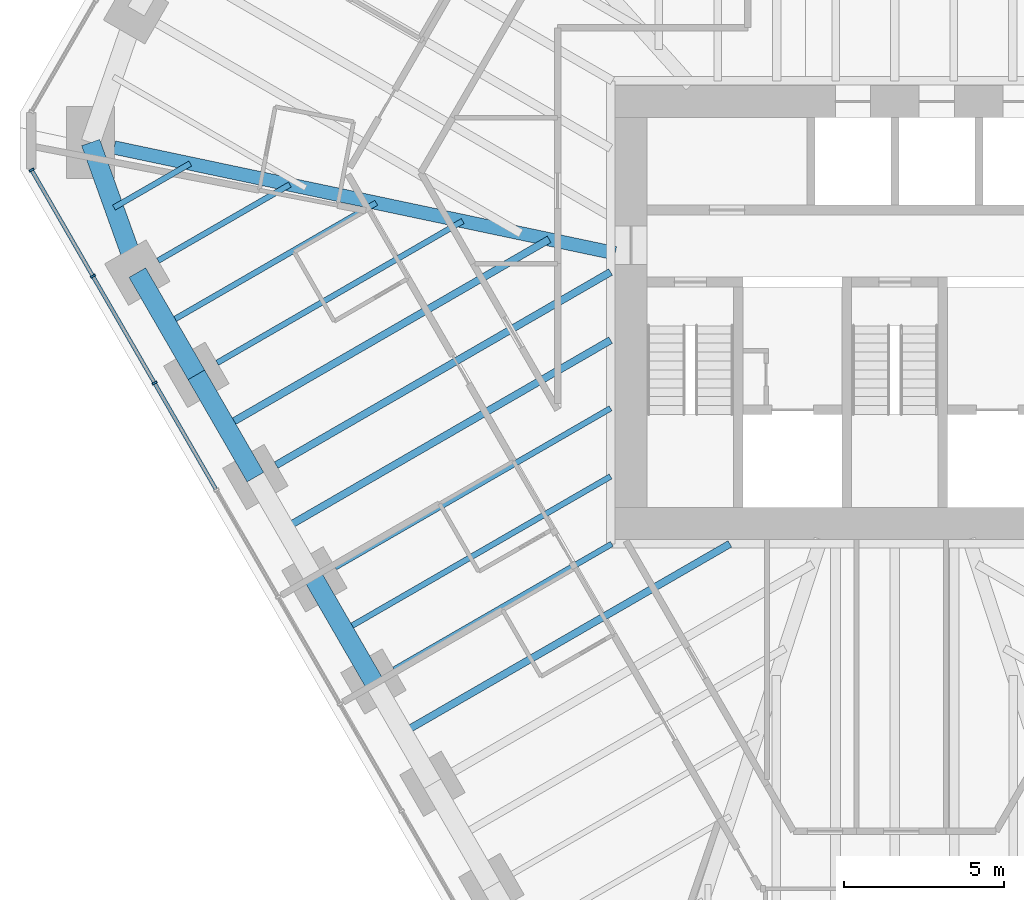
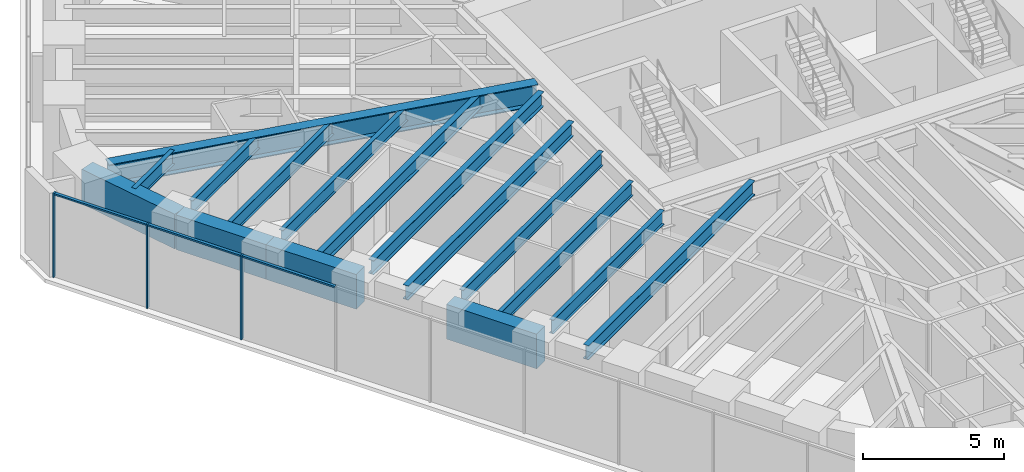
# One storey, part 3 of 16: 16 beams, 6 members, 1 element without a shape of its own.
"""IFC4 building model written with IfcOpenShell, lengths in metres."""

import ifcopenshell
import ifcopenshell.guid

model = None  # the IFC model being written
_history = None  # IfcOwnerHistory: only IFC2X3 demands one
_inside = {}  # id of a spatial element -> (the spatial element, [elements in it])
_under = {}  # id of a project, library or spatial element -> (it, [spatial elements below it])
_declared = {}  # id of a project -> (the project, [libraries it declares])
_typed = {}  # id of a type object -> (the type object, [elements of that type])
_made_of = {}  # id of a material, layer set ... -> (it, [elements and type objects made of it])


def new_model(schema):
    """Start an empty IFC model of exactly this schema.

    Asked for "IFC4X3", IfcOpenShell would pick the latest addendum, in which some entities
    have other attributes; the version numbers below select the first issue.
    IFC2X3 requires an IfcOwnerHistory on every rooted entity: one is made here for all.
    """
    global model, _history
    if schema == "IFC4X3":
        model = ifcopenshell.file(schema_version=(4, 3, 0, 0))
    else:
        model = ifcopenshell.file(schema=schema)
    _inside.clear()
    _under.clear()
    _declared.clear()
    _typed.clear()
    _made_of.clear()
    _history = None
    if model.schema == "IFC2X3":
        org = make("IfcOrganization", Name="unknown")
        user = make(
            "IfcPersonAndOrganization",
            ThePerson=make("IfcPerson", FamilyName="unknown"),
            TheOrganization=org,
        )
        app = make(
            "IfcApplication",
            ApplicationDeveloper=org,
            Version="unknown",
            ApplicationFullName="unknown",
            ApplicationIdentifier="unknown",
        )
        _history = make(
            "IfcOwnerHistory",
            OwningUser=user,
            OwningApplication=app,
            ChangeAction="ADDED",
            CreationDate=0,
        )
    return model


def make(cls, **values):
    """One entity of the class cls with the attributes given. An attribute that is None is left unset."""
    return model.create_entity(
        cls, **{name: value for name, value in values.items() if value is not None}
    )


def rooted(cls, **values):
    """An entity with a GlobalId (a new one), such as an element, a storey or a relation."""
    return make(cls, GlobalId=ifcopenshell.guid.new(), OwnerHistory=_history, **values)


def si_unit(unit_type, name, prefix=None):
    """IfcSIUnit, for example si_unit("LENGTHUNIT", "METRE", prefix="MILLI")."""
    return make("IfcSIUnit", UnitType=unit_type, Prefix=prefix, Name=name)


def assignment(units):
    """IfcUnitAssignment: the units of a project."""
    return None if units is None else make("IfcUnitAssignment", Units=units)


def point(xyz):
    """IfcCartesianPoint."""
    return None if xyz is None else make("IfcCartesianPoint", Coordinates=xyz)


def direction(xyz):
    """IfcDirection."""
    return None if xyz is None else make("IfcDirection", DirectionRatios=xyz)


def frame(location, z_axis=None, x_axis=None):
    """IfcAxis2Placement3D, a coordinate frame: its origin and axes. An axis left out is left unset."""
    return make(
        "IfcAxis2Placement3D",
        Location=point(location),
        Axis=direction(z_axis),
        RefDirection=direction(x_axis),
    )


def frame_2d(location, x_axis=None):
    """IfcAxis2Placement2D, a coordinate frame in the plane: its origin and x axis."""
    return make(
        "IfcAxis2Placement2D", Location=point(location), RefDirection=direction(x_axis)
    )


def origin():
    """The frame at (0, 0, 0) with its axes left unset."""
    return frame((0.0, 0.0, 0.0))


def origin_2d():
    """The frame at (0, 0) in the plane with its x axis left unset."""
    return frame_2d((0.0, 0.0))


def place(relative_to, where):
    """IfcLocalPlacement: puts the frame where relative to a parent placement (None: the world)."""
    return make(
        "IfcLocalPlacement", PlacementRelTo=relative_to, RelativePlacement=where
    )


def context(
    kind, dimensions, precision=None, world=None, true_north=None, identifier=None
):
    """IfcGeometricRepresentationContext, for example the 3D "Model" context."""
    return make(
        "IfcGeometricRepresentationContext",
        ContextIdentifier=identifier,
        ContextType=kind,
        CoordinateSpaceDimension=dimensions,
        Precision=precision,
        WorldCoordinateSystem=world,
        TrueNorth=true_north,
    )


def subcontext(parent, identifier, kind, view, scale=None):
    """IfcGeometricRepresentationSubContext, for example "Body" below "Model"."""
    return make(
        "IfcGeometricRepresentationSubContext",
        ContextIdentifier=identifier,
        ContextType=kind,
        ParentContext=parent,
        TargetScale=scale,
        TargetView=view,
    )


def project(units=None, contexts=None):
    """IfcProject with its units and contexts."""
    return rooted(
        "IfcProject",
        Name="project",
        RepresentationContexts=contexts,
        UnitsInContext=assignment(units),
    )


def spatial(cls, under=None, at=None, **own):
    """A site, building, storey or space (cls), placed at a placement, below another one or the project."""
    s = rooted(cls, ObjectPlacement=at, **own)
    if under is not None:
        _under.setdefault(under.id(), (under, []))[1].append(s)
    return s


def profile(cls, at=None, kind="AREA", **sizes):
    """A parametric profile (cls). Its sizes go by their IFC names, for example OverallWidth=200.0."""
    return make(cls, ProfileType=kind, Position=at, **sizes)


def rectangle(**sizes):
    """IfcRectangleProfileDef."""
    return profile("IfcRectangleProfileDef", **sizes)


def i_section(**sizes):
    """IfcIShapeProfileDef."""
    return profile("IfcIShapeProfileDef", **sizes)


def extrude(swept, where, along, depth):
    """IfcExtrudedAreaSolid: the profile swept, set in the frame where, extruded along a direction by depth."""
    return make(
        "IfcExtrudedAreaSolid",
        SweptArea=swept,
        Position=where,
        ExtrudedDirection=direction(along),
        Depth=depth,
    )


def shape(context_of_items, identifier, shape_type, items):
    """IfcShapeRepresentation: the items that make up one representation, for example the "Body"."""
    return make(
        "IfcShapeRepresentation",
        ContextOfItems=context_of_items,
        RepresentationIdentifier=identifier,
        RepresentationType=shape_type,
        Items=items,
    )


def material(Name=None, Category=None):
    """IfcMaterial."""
    return make("IfcMaterial", Name=Name, Category=Category)


def material_profile(
    of_material, cross_section, Name=None, Category=None, Priority=None
):
    """IfcMaterialProfile: a cross section and its material."""
    return make(
        "IfcMaterialProfile",
        Name=Name,
        Material=of_material,
        Profile=cross_section,
        Priority=Priority,
        Category=Category,
    )


def profile_set(profiles, Name=None, composite=None):
    """IfcMaterialProfileSet."""
    return make(
        "IfcMaterialProfileSet",
        Name=Name,
        MaterialProfiles=profiles,
        CompositeProfile=composite,
    )


def made_of(thing, what):
    """Note that an element or type object is made of a material, layer set ...; save() writes the relation."""
    if what is not None:
        _made_of.setdefault(what.id(), (what, []))[1].append(thing)
    return thing


def type_object(cls, material=None, **own):
    """A type object (cls), such as IfcWallType, which elements share."""
    return made_of(rooted(cls, **own), material)


def element(
    cls,
    number,
    at=None,
    inside=None,
    cuts=None,
    type_object=None,
    material=None,
    context=None,
    identifier="Body",
    shape_type=None,
    held_by="IfcProductDefinitionShape",
    body=None,
    shapes=None,
    **own,
):
    """One element of the class cls, such as IfcWall. Its Tag is "e" and its number.

    at: its placement. inside: the storey or other place that contains it. cuts: it is an
    opening in that element (IfcRelVoidsElement). A single representation is given by context,
    identifier, shape_type and body (its items); several are given by shapes. held_by: the class
    of the entity that holds the representations. save() writes the other relations.
    """
    e = rooted(cls, Tag="e%d" % number, ObjectPlacement=at, **own)
    if body is not None:
        shapes = [shape(context, identifier, shape_type, body)]
    if shapes is not None:
        e.Representation = make(held_by, Representations=shapes)
    if inside is not None:
        _inside.setdefault(inside.id(), (inside, []))[1].append(e)
    if cuts is not None:
        rooted(
            "IfcRelVoidsElement", RelatingBuildingElement=cuts, RelatedOpeningElement=e
        )
    if type_object is not None:
        _typed.setdefault(type_object.id(), (type_object, []))[1].append(e)
    return made_of(e, material)


def aggregate(whole, parts):
    """IfcRelAggregates: a whole, such as a stair, and the parts it consists of."""
    return rooted("IfcRelAggregates", RelatingObject=whole, RelatedObjects=parts)


def save(model, path):
    """Write the relations noted so far, then the file.

    IfcRelAggregates (storeys below a building ...), IfcRelContainedInSpatialStructure (elements
    in a storey), IfcRelDefinesByType, IfcRelAssociatesMaterial and IfcRelDeclares: one each for
    every whole, place, type object, material and project.
    """
    for whole, parts in _under.values():
        aggregate(whole, parts)
    for where, things in _inside.values():
        rooted(
            "IfcRelContainedInSpatialStructure",
            RelatedElements=things,
            RelatingStructure=where,
        )
    for kind, things in _typed.values():
        rooted("IfcRelDefinesByType", RelatedObjects=things, RelatingType=kind)
    for what, things in _made_of.values():
        rooted("IfcRelAssociatesMaterial", RelatedObjects=things, RelatingMaterial=what)
    for by, libraries in _declared.values():
        rooted("IfcRelDeclares", RelatingContext=by, RelatedDefinitions=libraries)
    model.write(path)


model = new_model("IFC4")

# Units and contexts
model_context = context("Model", 3, precision=1e-05, world=origin(), true_north=direction((0.0, 1.0)))
body_context = subcontext(model_context, "Body", "Model", "MODEL_VIEW")
ifc_project = project(units=[si_unit("LENGTHUNIT", "METRE"), si_unit("AREAUNIT", "SQUARE_METRE"), si_unit("VOLUMEUNIT", "CUBIC_METRE"), si_unit("PLANEANGLEUNIT", "RADIAN"), si_unit("MASSUNIT", "GRAM", prefix="KILO")], contexts=[model_context])

# Site, building, storey
site_placement = place(None, origin())
site = spatial("IfcSite", under=ifc_project, at=site_placement, CompositionType="ELEMENT")
building_placement = place(site_placement, origin())
building = spatial("IfcBuilding", under=site, at=building_placement, Name="Sandreach Pilgrim Tower", CompositionType="ELEMENT")
storey_placement = place(building_placement, frame((0.0, 0.0, 190.800048828125)))
storey = spatial("IfcBuildingStorey", under=building, at=storey_placement, Name="L47", CompositionType="ELEMENT", Elevation=190.800048828125)

# Curtain wall, members
ifc_material_1 = material(Name="Aluminium framed curtain wall", Category="aluminium")
curtain_wall_type = type_object("IfcCurtainWallType", Name="Upper hotel tower curtain wall", PredefinedType="NOTDEFINED", material=ifc_material_1)
curtain_wall_placement = place(storey_placement, origin())
curtain_wall = element("IfcCurtainWall", 1, at=curtain_wall_placement, inside=storey, type_object=curtain_wall_type, Name="CW-3 L47 SW", PredefinedType="NOTDEFINED")
ifc_material_2 = material(Name="Aluminium extrusion", Category="aluminium")
ifc_material_profile_1 = material_profile(ifc_material_2, rectangle(XDim=0.06494140625, YDim=0.159912109375, at=origin_2d()), Name="CW-3M 65X160")
ifc_profile_set_1 = profile_set([ifc_material_profile_1], Name="Aluminium extrusion")
member_type_1 = type_object("IfcMemberType", Name="CW-3 mullion", PredefinedType="MULLION", material=ifc_profile_set_1)
member_1_placement = place(storey_placement, frame((-23.15576171875, -2.21337890625, 0.0), z_axis=(0.0, 0.0, 1.0), x_axis=(-0.5, 0.866025403784, 0.0)))
member_1 = element("IfcMember", 2, at=member_1_placement, type_object=member_type_1, Name="CW-3 mullion 8", PredefinedType="MULLION", context=body_context, shape_type="SweptSolid", body=[
    extrude(rectangle(XDim=0.06494140625, YDim=0.159912109375, at=origin_2d()), origin(), (0.0, 0.0, 1.0), 3.639892578125),
])
member_2_placement = place(storey_placement, frame((-25.087890625, 1.13330078125, 0.0), z_axis=(0.0, 0.0, 1.0), x_axis=(-0.5, 0.866025403784, 0.0)))
member_2 = element("IfcMember", 3, at=member_2_placement, type_object=member_type_1, Name="CW-3 mullion 9", PredefinedType="MULLION", context=body_context, shape_type="SweptSolid", body=[
    extrude(rectangle(XDim=0.06494140625, YDim=0.159912109375, at=origin_2d()), origin(), (0.0, 0.0, 1.0), 3.639892578125),
])
member_3_placement = place(storey_placement, frame((-27.00390625, 4.451904296875, 0.0), z_axis=(0.0, 0.0, 1.0), x_axis=(-0.5, 0.866025403784, 0.0)))
member_3 = element("IfcMember", 4, at=member_3_placement, type_object=member_type_1, Name="CW-3 mullion 10", PredefinedType="MULLION", context=body_context, shape_type="SweptSolid", body=[
    extrude(rectangle(XDim=0.06494140625, YDim=0.159912109375, at=origin_2d()), origin(), (0.0, 0.0, 1.0), 3.639892578125),
])
ifc_material_3 = material(Name="Aluminium extrusion", Category="aluminium")
ifc_material_profile_2 = material_profile(ifc_material_3, rectangle(XDim=0.1201171875, YDim=0.070068359375, at=origin_2d()), Name="CW-3T 120X70")
ifc_profile_set_2 = profile_set([ifc_material_profile_2], Name="Aluminium extrusion")
member_type_2 = type_object("IfcMemberType", Name="CW-3 transom", PredefinedType="USERDEFINED", material=ifc_profile_set_2)
member_4_placement = place(storey_placement, frame((-21.23974609375, -5.531982421875, 3.60498046875), z_axis=(-0.499974606132, 0.866040064445, 0.0), x_axis=(-0.866040064445, -0.499974606132, 0.0)))
member_4 = element("IfcMember", 5, at=member_4_placement, type_object=member_type_2, Name="CW-3 head transom 7", ObjectType="TRANSOM", PredefinedType="USERDEFINED", context=body_context, shape_type="SweptSolid", body=[
    extrude(rectangle(XDim=0.1201171875, YDim=0.070068359375, at=origin_2d()), origin(), (0.0, 0.0, 1.0), 3.799560546875),
])
member_5_placement = place(storey_placement, frame((-23.171875, -2.185302734375, 3.60498046875), z_axis=(-0.500022797313, 0.86601224135, 0.0), x_axis=(-0.86601224135, -0.500022797313, 0.0)))
member_5 = element("IfcMember", 6, at=member_5_placement, type_object=member_type_2, Name="CW-3 head transom 8", ObjectType="TRANSOM", PredefinedType="USERDEFINED", context=body_context, shape_type="SweptSolid", body=[
    extrude(rectangle(XDim=0.1201171875, YDim=0.070068359375, at=origin_2d()), origin(), (0.0, 0.0, 1.0), 3.799560546875),
])
member_6_placement = place(storey_placement, frame((-25.104248046875, 1.161376953125, 3.60498046875), z_axis=(-0.499944992379, 0.86605716012, 0.0), x_axis=(-0.86605716012, -0.499944992379, 0.0)))
member_6 = element("IfcMember", 7, at=member_6_placement, type_object=member_type_2, Name="CW-3 head transom 9", ObjectType="TRANSOM", PredefinedType="USERDEFINED", context=body_context, shape_type="SweptSolid", body=[
    extrude(rectangle(XDim=0.1201171875, YDim=0.070068359375, at=origin_2d()), origin(), (0.0, 0.0, 1.0), 3.76708984375),
])
aggregate(curtain_wall, [member_1, member_2, member_3, member_4, member_5, member_6])

# Beams
ifc_material_4 = material(Name="Steel ASTM A992 Grade 50", Category="steel")
ifc_material_profile_3 = material_profile(ifc_material_4, i_section(OverallWidth=0.421630859375, OverallDepth=0.937255859375, WebThickness=0.0224609375, FlangeThickness=0.039794921875, at=origin_2d()), Name="W36X282")
ifc_profile_set_3 = profile_set([ifc_material_profile_3], Name="Steel ASTM A992 Grade 50")
beam_type_1 = type_object("IfcBeamType", Name="Corner girder W36X282", PredefinedType="BEAM", material=ifc_profile_set_3)
beam_1_placement = place(storey_placement, frame((-24.422607421875, 5.156494140625, 3.17138671875), z_axis=(0.978428978804, -0.206583478132, 0.0), x_axis=(0.206583478132, 0.978428978804, 0.0)))
element("IfcBeam", 8, at=beam_1_placement, inside=storey, type_object=beam_type_1, Name="BM L47 CG35", PredefinedType="BEAM", context=body_context, shape_type="SweptSolid", body=[
    extrude(i_section(OverallWidth=0.421630859375, OverallDepth=0.937255859375, WebThickness=0.0224609375, FlangeThickness=0.039794921875, at=origin_2d()), origin(), (0.0, 0.0, 1.0), 16.01806640625),
])
ifc_material_5 = material(Name="Steel ASTM A992 Grade 50", Category="steel")
ifc_material_profile_4 = material_profile(ifc_material_5, i_section(OverallWidth=0.1787109375, OverallDepth=0.60205078125, WebThickness=0.010986328125, FlangeThickness=0.014892578125, at=origin_2d()), Name="W24X62")
ifc_profile_set_4 = profile_set([ifc_material_profile_4], Name="Steel ASTM A992 Grade 50")
beam_type_2 = type_object("IfcBeamType", Name="Floor beam W24X62", PredefinedType="BEAM", material=ifc_profile_set_4)
beam_2_placement = place(storey_placement, frame((-15.661376953125, -11.173828125, 3.3388671875), z_axis=(0.866038711524, 0.49997694961, 0.0), x_axis=(-0.49997694961, 0.866038711524, 0.0)))
element("IfcBeam", 9, at=beam_2_placement, inside=storey, type_object=beam_type_2, Name="BM L47 F30", PredefinedType="BEAM", context=body_context, shape_type="SweptSolid", body=[
    extrude(i_section(OverallWidth=0.1787109375, OverallDepth=0.60205078125, WebThickness=0.010986328125, FlangeThickness=0.014892578125, at=origin_2d()), origin(), (0.0, 0.0, 1.0), 7.861083984375),
])
beam_3_placement = place(storey_placement, frame((-17.507568359375, -7.97607421875, 3.3388671875), z_axis=(0.866027815265, 0.499995823171, 0.0), x_axis=(-0.499995823171, 0.866027815265, 0.0)))
element("IfcBeam", 10, at=beam_3_placement, inside=storey, type_object=beam_type_2, Name="BM L47 F31", PredefinedType="BEAM", context=body_context, shape_type="SweptSolid", body=[
    extrude(i_section(OverallWidth=0.1787109375, OverallDepth=0.60205078125, WebThickness=0.010986328125, FlangeThickness=0.014892578125, at=origin_2d()), origin(), (0.0, 0.0, 1.0), 9.94677734375),
])
beam_4_placement = place(storey_placement, frame((-21.2001953125, -1.58056640625, 3.3388671875), z_axis=(0.866027448082, 0.499996459156, 0.0), x_axis=(-0.499996459156, 0.866027448082, 0.0)))
element("IfcBeam", 11, at=beam_4_placement, inside=storey, type_object=beam_type_2, Name="BM L47 F33", PredefinedType="BEAM", context=body_context, shape_type="SweptSolid", body=[
    extrude(i_section(OverallWidth=0.1787109375, OverallDepth=0.60205078125, WebThickness=0.010986328125, FlangeThickness=0.014892578125, at=origin_2d()), origin(), (0.0, 0.0, 1.0), 8.86962890625),
])
beam_5_placement = place(storey_placement, frame((-23.04638671875, 1.6171875, 3.3388671875), z_axis=(0.86603347311, 0.499986023258, 0.0), x_axis=(-0.499986023258, 0.86603347311, 0.0)))
element("IfcBeam", 12, at=beam_5_placement, inside=storey, type_object=beam_type_2, Name="BM L47 F34", PredefinedType="BEAM", context=body_context, shape_type="SweptSolid", body=[
    extrude(i_section(OverallWidth=0.1787109375, OverallDepth=0.60205078125, WebThickness=0.010986328125, FlangeThickness=0.014892578125, at=origin_2d()), origin(), (0.0, 0.0, 1.0), 4.757568359375),
])
beam_6_placement = place(storey_placement, frame((-17.23388671875, -9.949951171875, 3.3388671875), z_axis=(0.866025593094, 0.499999672107, 0.0), x_axis=(-0.499999672107, 0.866025593094, 0.0)))
element("IfcBeam", 13, at=beam_6_placement, inside=storey, type_object=beam_type_2, Name="BM L47 FM30", PredefinedType="BEAM", context=body_context, shape_type="SweptSolid", body=[
    extrude(i_section(OverallWidth=0.1787109375, OverallDepth=0.60205078125, WebThickness=0.010986328125, FlangeThickness=0.014892578125, at=origin_2d()), origin(), (0.0, 0.0, 1.0), 9.630859375),
])
beam_7_placement = place(storey_placement, frame((-22.772705078125, -0.356689453125, 3.3388671875), z_axis=(0.866029704776, 0.49999255039, 0.0), x_axis=(-0.49999255039, 0.866029704776, 0.0)))
element("IfcBeam", 14, at=beam_7_placement, inside=storey, type_object=beam_type_2, Name="BM L47 FM33", PredefinedType="BEAM", context=body_context, shape_type="SweptSolid", body=[
    extrude(i_section(OverallWidth=0.1787109375, OverallDepth=0.60205078125, WebThickness=0.010986328125, FlangeThickness=0.014892578125, at=origin_2d()), origin(), (0.0, 0.0, 1.0), 7.5634765625),
])
beam_8_placement = place(storey_placement, frame((-24.42626953125, 3.27685546875, 3.3388671875), z_axis=(0.866046803606, 0.49996293259, 0.0), x_axis=(-0.49996293259, 0.866046803606, 0.0)))
element("IfcBeam", 15, at=beam_8_placement, inside=storey, type_object=beam_type_2, Name="BM L47 FM34", PredefinedType="BEAM", context=body_context, shape_type="SweptSolid", body=[
    extrude(i_section(OverallWidth=0.1787109375, OverallDepth=0.60205078125, WebThickness=0.010986328125, FlangeThickness=0.014892578125, at=origin_2d()), origin(), (0.0, 0.0, 1.0), 2.753662109375),
])
ifc_material_6 = material(Name="Steel ASTM A992 Grade 50", Category="steel")
ifc_material_profile_5 = material_profile(ifc_material_6, i_section(OverallWidth=0.23046875, OverallDepth=0.6171875, WebThickness=0.01318359375, FlangeThickness=0.022216796875, at=origin_2d()), Name="W24X94")
ifc_profile_set_5 = profile_set([ifc_material_profile_5], Name="Steel ASTM A992 Grade 50")
beam_type_3 = type_object("IfcBeamType", Name="Floor beam W24X94", PredefinedType="BEAM", material=ifc_profile_set_5)
beam_9_placement = place(storey_placement, frame((-19.353759765625, -4.7783203125, 3.331298828125), z_axis=(0.866026713419, 0.49999773164, 0.0), x_axis=(-0.49999773164, 0.866026713419, 0.0)))
element("IfcBeam", 16, at=beam_9_placement, inside=storey, type_object=beam_type_3, Name="BM L47 F32", PredefinedType="BEAM", context=body_context, shape_type="SweptSolid", body=[
    extrude(i_section(OverallWidth=0.23046875, OverallDepth=0.6171875, WebThickness=0.01318359375, FlangeThickness=0.022216796875, at=origin_2d()), origin(), (0.0, 0.0, 1.0), 12.07861328125),
])
beam_10_placement = place(storey_placement, frame((-15.3876953125, -13.14794921875, 3.331298828125), z_axis=(0.866022050506, 0.500005808004, 0.0), x_axis=(-0.500005808004, 0.866022050506, 0.0)))
element("IfcBeam", 17, at=beam_10_placement, inside=storey, type_object=beam_type_3, Name="BM L47 FM29", PredefinedType="BEAM", context=body_context, shape_type="SweptSolid", body=[
    extrude(i_section(OverallWidth=0.23046875, OverallDepth=0.6171875, WebThickness=0.01318359375, FlangeThickness=0.022216796875, at=origin_2d()), origin(), (0.0, 0.0, 1.0), 11.808837890625),
])
beam_11_placement = place(storey_placement, frame((-19.080322265625, -6.752197265625, 3.331298828125), z_axis=(0.866030053141, 0.499991946992, 0.0), x_axis=(-0.499991946992, 0.866030053141, 0.0)))
element("IfcBeam", 18, at=beam_11_placement, inside=storey, type_object=beam_type_3, Name="BM L47 FM31", PredefinedType="BEAM", context=body_context, shape_type="SweptSolid", body=[
    extrude(i_section(OverallWidth=0.23046875, OverallDepth=0.6171875, WebThickness=0.01318359375, FlangeThickness=0.022216796875, at=origin_2d()), origin(), (0.0, 0.0, 1.0), 11.762939453125),
])
beam_12_placement = place(storey_placement, frame((-20.926513671875, -3.554443359375, 3.331298828125), z_axis=(0.866026454974, 0.499998179282, 0.0), x_axis=(-0.499998179282, 0.866026454974, 0.0)))
element("IfcBeam", 19, at=beam_12_placement, inside=storey, type_object=beam_type_3, Name="BM L47 FM32", PredefinedType="BEAM", context=body_context, shape_type="SweptSolid", body=[
    extrude(i_section(OverallWidth=0.23046875, OverallDepth=0.6171875, WebThickness=0.01318359375, FlangeThickness=0.022216796875, at=origin_2d()), origin(), (0.0, 0.0, 1.0), 11.67578125),
])
ifc_material_7 = material(Name="Concrete 10000 psi", Category="concrete")
ifc_material_profile_6 = material_profile(ifc_material_7, rectangle(XDim=0.60009765625, YDim=1.5, at=origin_2d()), Name="RC600X1500")
ifc_profile_set_6 = profile_set([ifc_material_profile_6], Name="Concrete 10000 psi")
beam_type_4 = type_object("IfcBeamType", Name="Spandrel beam RC600X1500", PredefinedType="SPANDREL", material=ifc_profile_set_6)
beam_13_placement = place(storey_placement, frame((-16.310791015625, -11.548828125, 2.889892578125), z_axis=(-0.500042951019, 0.866000604582, 0.0), x_axis=(-0.866000604582, -0.500042951019, 0.0)))
element("IfcBeam", 20, at=beam_13_placement, inside=storey, type_object=beam_type_4, Name="BM L47 SP30", PredefinedType="SPANDREL", context=body_context, shape_type="SweptSolid", body=[
    extrude(rectangle(XDim=0.60009765625, YDim=1.5, at=origin_2d()), origin(), (0.0, 0.0, 1.0), 3.692626953125),
])
for number, where, z_axis, x_axis, name in (
    (21, (-20.00341796875, -5.1533203125, 2.889892578125), (-0.499993363642, 0.866029235253, 0.0), (-0.866029235253, -0.499993363642, 0.0), "BM L47 SP32"),
    (22, (-21.849609375, -1.95556640625, 2.889892578125), (-0.499993363642, 0.866029235253, 0.0), (-0.866029235253, -0.499993363642, 0.0), "BM L47 SP33"),
):
    element("IfcBeam", number, at=place(storey_placement, frame(where, z_axis=z_axis, x_axis=x_axis)), inside=storey, type_object=beam_type_4, Name=name, PredefinedType="SPANDREL", context=body_context, shape_type="SweptSolid", body=[
        extrude(rectangle(XDim=0.60009765625, YDim=1.5, at=origin_2d()), origin(), (0.0, 0.0, 1.0), 3.6923828125),
    ])
beam_14_placement = place(storey_placement, frame((-23.69580078125, 1.2421875, 2.889892578125), z_axis=(-0.337863470932, 0.941195131208, 0.0), x_axis=(-0.941195131208, -0.337863470932, 0.0)))
element("IfcBeam", 23, at=beam_14_placement, inside=storey, type_object=beam_type_4, Name="BM L47 SP34", PredefinedType="SPANDREL", context=body_context, shape_type="SweptSolid", body=[
    extrude(rectangle(XDim=0.60009765625, YDim=1.5, at=origin_2d()), origin(), (0.0, 0.0, 1.0), 4.3232421875),
])

save(model, "model.ifc")
